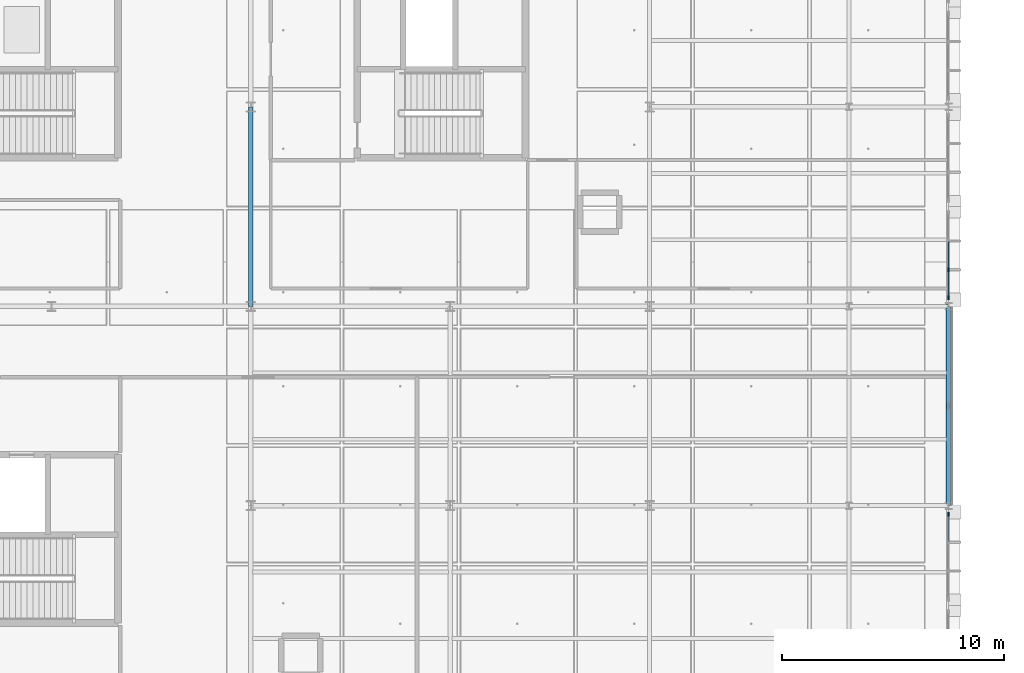
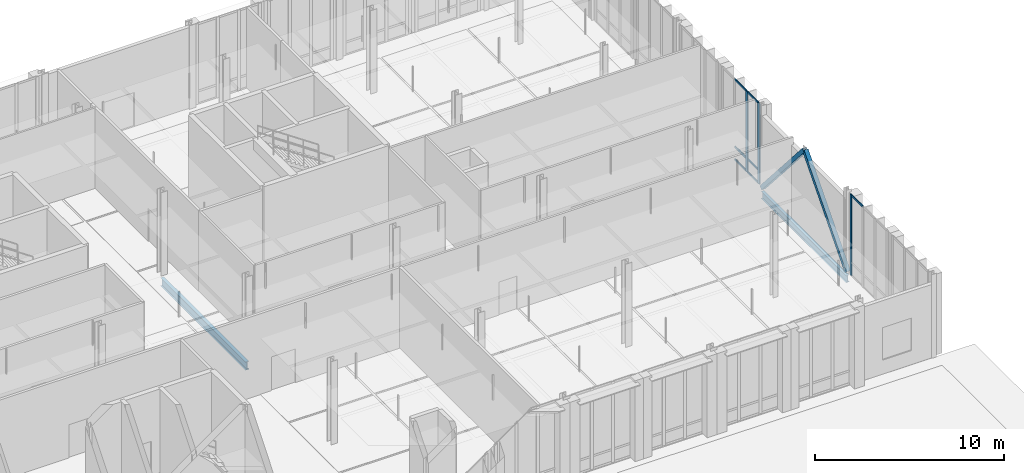
# One storey, part 66 of 180: 12 members, 2 beams, 2 elements without a shape of their own.
"""IFC4 building model written with IfcOpenShell, lengths in metres."""

from ifc_helpers import new_model, si_unit, direction, frame, origin, origin_2d, place, context, subcontext, project, spatial, rectangle, hollow_rectangle, i_section, extrude, material, material_profile, profile_set, type_object, element, aggregate, save


model = new_model("IFC4")

# Units and contexts
model_context = context("Model", 3, precision=1e-05, world=origin(), true_north=direction((0.0, 1.0)))
body_context = subcontext(model_context, "Body", "Model", "MODEL_VIEW")
ifc_project = project(units=[si_unit("LENGTHUNIT", "METRE"), si_unit("AREAUNIT", "SQUARE_METRE"), si_unit("VOLUMEUNIT", "CUBIC_METRE"), si_unit("PLANEANGLEUNIT", "RADIAN"), si_unit("MASSUNIT", "GRAM", prefix="KILO"), si_unit("THERMODYNAMICTEMPERATUREUNIT", "KELVIN"), si_unit("POWERUNIT", "WATT")], contexts=[model_context])

# Site, building, storey
site_placement = place(None, origin())
site = spatial("IfcSite", under=ifc_project, at=site_placement, CompositionType="ELEMENT")
building_placement = place(site_placement, origin())
building = spatial("IfcBuilding", under=site, at=building_placement, Name="Tallowbark Science Centre", CompositionType="ELEMENT")
storey_placement = place(building_placement, origin())
storey = spatial("IfcBuildingStorey", under=building, at=storey_placement, Name="L00", CompositionType="ELEMENT", Elevation=0.0)

# Beam
ifc_material_1 = material(Name="Structural Steel Grade 300PLUS (300 MPa)", Category="steel")
ifc_material_profile_1 = material_profile(ifc_material_1, i_section(OverallWidth=0.208740234375, OverallDepth=0.5283203125, WebThickness=0.009521484375, FlangeThickness=0.01318359375, FilletRadius=0.013916015625, at=origin_2d()), Name="530UB82.0")
ifc_profile_set_1 = profile_set([ifc_material_profile_1], Name="Structural Steel Grade 300PLUS (300 MPa)")
beam_type_1 = type_object("IfcBeamType", Name="BM-UB530B", PredefinedType="BEAM", material=ifc_profile_set_1)
beam_1_placement = place(storey_placement, frame((130.5, 90.0, -0.504150390625), z_axis=(0.0, 1.0, 0.0), x_axis=(-1.0, 0.0, 0.0)))
element("IfcBeam", 1, at=beam_1_placement, inside=storey, type_object=beam_type_1, Name="Primary Girder GRDY-L00-1305-900-990", PredefinedType="BEAM", context=body_context, shape_type="SweptSolid", body=[
    extrude(i_section(OverallWidth=0.208740234375, OverallDepth=0.5283203125, WebThickness=0.009521484375, FlangeThickness=0.01318359375, FilletRadius=0.013916015625, at=origin_2d()), origin(), (0.0, 0.0, 1.0), 9.0),
])

# Members
ifc_material_2 = material(Name="Structural Steel Grade C350L0 (350 MPa)", Category="steel")
ifc_material_profile_2 = material_profile(ifc_material_2, hollow_rectangle(XDim=0.25, YDim=0.25, WallThickness=0.009033203125, at=origin_2d()), Name="250x250x9.0SHS")
ifc_profile_set_2 = profile_set([ifc_material_profile_2], Name="Structural Steel Grade C350L0 (350 MPa)")
member_type_1 = type_object("IfcMemberType", Name="CBF-250SHS", PredefinedType="BRACE", material=ifc_profile_set_2)
for number, where, z_axis, x_axis, name in (
    (2, (162.0, 81.0, 0.0), (0.0, 0.657993936846, 0.753023226119), (-1.0, 0.0, 0.0), "Concentric Chevron Brace CBF-OBS-E1A L00 Left"),
    (3, (162.0, 90.0, 0.0), (0.0, -0.657993936846, 0.753023226119), (1.0, 0.0, 0.0), "Concentric Chevron Brace CBF-OBS-E1A L00 Right"),
):
    element("IfcMember", number, at=place(storey_placement, frame(where, z_axis=z_axis, x_axis=x_axis)), inside=storey, type_object=member_type_1, Name=name, PredefinedType="BRACE", context=body_context, shape_type="SweptSolid", body=[
        extrude(hollow_rectangle(XDim=0.25, YDim=0.25, WallThickness=0.009033203125, at=origin_2d()), origin(), (0.0, 0.0, 1.0), 6.8388671875),
    ])

# Curtain wall, member
ifc_material_3 = material(Name="Unitised Thermally Broken Aluminium and Low-E Double Glazing", Category="aluminium")
curtain_wall_type = type_object("IfcCurtainWallType", Name="CW-SYS-FACADE", PredefinedType="NOTDEFINED", material=ifc_material_3)
curtain_wall_1_placement = place(storey_placement, origin())
curtain_wall_1 = element("IfcCurtainWall", 4, at=curtain_wall_1_placement, inside=storey, type_object=curtain_wall_type, Name="Unitised Curtain Wall OBS-E-72B CW-L00-107", PredefinedType="NOTDEFINED")
ifc_material_4 = material(Name="Anodised Architectural Aluminium Alloy 6063-T6", Category="aluminium")
ifc_material_profile_3 = material_profile(ifc_material_4, rectangle(XDim=0.06494140625, YDim=0.179931640625, at=origin_2d()), Name="ALU65x180")
ifc_profile_set_3 = profile_set([ifc_material_profile_3], Name="Anodised Architectural Aluminium Alloy 6063-T6")
member_type_2 = type_object("IfcMemberType", Name="CWM-MUL-220", PredefinedType="MULLION", material=ifc_profile_set_3)
member_1_placement = place(storey_placement, frame((162.0, 80.617431640625, 0.0), z_axis=(0.0, 0.0, 1.0), x_axis=(-1.0, 0.0, 0.0)))
member_1 = element("IfcMember", 5, at=member_1_placement, type_object=member_type_2, Name="CW-01 mullion 4", PredefinedType="MULLION", context=body_context, shape_type="SweptSolid", body=[
    extrude(rectangle(XDim=0.06494140625, YDim=0.179931640625, at=origin_2d()), origin(), (0.0, 0.0, 1.0), 5.219970703125),
])

# Curtain wall, members
curtain_wall_2_placement = place(storey_placement, origin())
curtain_wall_2 = element("IfcCurtainWall", 6, at=curtain_wall_2_placement, inside=storey, type_object=curtain_wall_type, Name="Unitised Curtain Wall OBS-E-90A CW-L00-108", PredefinedType="NOTDEFINED")
member_2_placement = place(storey_placement, frame((162.0, 90.382568359375, 0.0), z_axis=(0.0, 0.0, 1.0), x_axis=(-1.0, 0.0, 0.0)))
member_2 = element("IfcMember", 7, at=member_2_placement, type_object=member_type_2, Name="CW-01 mullion 1", PredefinedType="MULLION", context=body_context, shape_type="SweptSolid", body=[
    extrude(rectangle(XDim=0.06494140625, YDim=0.179931640625, at=origin_2d()), origin(), (0.0, 0.0, 1.0), 5.219970703125),
])
member_3_placement = place(storey_placement, frame((162.0, 91.64990234375, 0.0), z_axis=(0.0, 0.0, 1.0), x_axis=(-1.0, 0.0, 0.0)))
member_3 = element("IfcMember", 8, at=member_3_placement, type_object=member_type_2, Name="CW-01 mullion 2", PredefinedType="MULLION", context=body_context, shape_type="SweptSolid", body=[
    extrude(rectangle(XDim=0.06494140625, YDim=0.179931640625, at=origin_2d()), origin(), (0.0, 0.0, 1.0), 5.219970703125),
])

# Member
ifc_material_profile_4 = material_profile(ifc_material_4, rectangle(XDim=0.054931640625, YDim=0.1201171875, at=origin_2d()), Name="ALU55x120")
ifc_profile_set_4 = profile_set([ifc_material_profile_4], Name="Anodised Architectural Aluminium Alloy 6063-T6")
member_type_3 = type_object("IfcMemberType", Name="CWM-TRN-150", PredefinedType="USERDEFINED", material=ifc_profile_set_4)
member_4_placement = place(storey_placement, frame((162.0, 79.382568359375, 5.1923828125), z_axis=(0.0, 1.0, 0.0), x_axis=(-1.0, 0.0, 0.0)))
member_4 = element("IfcMember", 9, at=member_4_placement, type_object=member_type_3, Name="CW-01 transom 3.3", ObjectType="TRANSOM", PredefinedType="USERDEFINED", context=body_context, shape_type="SweptSolid", body=[
    extrude(rectangle(XDim=0.054931640625, YDim=0.1201171875, at=origin_2d()), origin(), (0.0, 0.0, 1.0), 1.202392578125),
])

aggregate(curtain_wall_1, [member_1, member_4])

member_5_placement = place(storey_placement, frame((162.0, 90.4150390625, 0.027587890625), z_axis=(0.0, 1.0, 0.0), x_axis=(-1.0, 0.0, 0.0)))
member_5 = element("IfcMember", 10, at=member_5_placement, type_object=member_type_3, Name="CW-01 transom 1.1", ObjectType="TRANSOM", PredefinedType="USERDEFINED", context=body_context, shape_type="SweptSolid", body=[
    extrude(rectangle(XDim=0.054931640625, YDim=0.1201171875, at=origin_2d()), origin(), (0.0, 0.0, 1.0), 1.202392578125),
])

member_6_placement = place(storey_placement, frame((162.0, 90.4150390625, 0.85009765625), z_axis=(0.0, 1.0, 0.0), x_axis=(-1.0, 0.0, 0.0)))
member_6 = element("IfcMember", 11, at=member_6_placement, type_object=member_type_3, Name="CW-01 transom 1.2", ObjectType="TRANSOM", PredefinedType="USERDEFINED", context=body_context, shape_type="SweptSolid", body=[
    extrude(rectangle(XDim=0.054931640625, YDim=0.1201171875, at=origin_2d()), origin(), (0.0, 0.0, 1.0), 1.202392578125),
])

member_7_placement = place(storey_placement, frame((162.0, 90.4150390625, 5.1923828125), z_axis=(0.0, 1.0, 0.0), x_axis=(-1.0, 0.0, 0.0)))
member_7 = element("IfcMember", 12, at=member_7_placement, type_object=member_type_3, Name="CW-01 transom 1.3", ObjectType="TRANSOM", PredefinedType="USERDEFINED", context=body_context, shape_type="SweptSolid", body=[
    extrude(rectangle(XDim=0.054931640625, YDim=0.1201171875, at=origin_2d()), origin(), (0.0, 0.0, 1.0), 1.202392578125),
])

member_8_placement = place(storey_placement, frame((162.0, 91.6826171875, 0.027587890625), z_axis=(0.0, 1.0, 0.0), x_axis=(-1.0, 0.0, 0.0)))
member_8 = element("IfcMember", 13, at=member_8_placement, type_object=member_type_3, Name="CW-01 transom 2.1", ObjectType="TRANSOM", PredefinedType="USERDEFINED", context=body_context, shape_type="SweptSolid", body=[
    extrude(rectangle(XDim=0.054931640625, YDim=0.1201171875, at=origin_2d()), origin(), (0.0, 0.0, 1.0), 1.23486328125),
])

member_9_placement = place(storey_placement, frame((162.0, 91.6826171875, 0.85009765625), z_axis=(0.0, 1.0, 0.0), x_axis=(-1.0, 0.0, 0.0)))
member_9 = element("IfcMember", 14, at=member_9_placement, type_object=member_type_3, Name="CW-01 transom 2.2", ObjectType="TRANSOM", PredefinedType="USERDEFINED", context=body_context, shape_type="SweptSolid", body=[
    extrude(rectangle(XDim=0.054931640625, YDim=0.1201171875, at=origin_2d()), origin(), (0.0, 0.0, 1.0), 1.23486328125),
])

member_10_placement = place(storey_placement, frame((162.0, 91.6826171875, 5.1923828125), z_axis=(0.0, 1.0, 0.0), x_axis=(-1.0, 0.0, 0.0)))
member_10 = element("IfcMember", 15, at=member_10_placement, type_object=member_type_3, Name="CW-01 transom 2.3", ObjectType="TRANSOM", PredefinedType="USERDEFINED", context=body_context, shape_type="SweptSolid", body=[
    extrude(rectangle(XDim=0.054931640625, YDim=0.1201171875, at=origin_2d()), origin(), (0.0, 0.0, 1.0), 1.23486328125),
])

aggregate(curtain_wall_2, [member_2, member_3, member_5, member_6, member_7, member_8, member_9, member_10])

# Beam
ifc_material_profile_5 = material_profile(ifc_material_1, i_section(OverallWidth=0.18994140625, OverallDepth=0.453857421875, WebThickness=0.008544921875, FlangeThickness=0.0126953125, FilletRadius=0.011474609375, at=origin_2d()), Name="460UB67.1")
ifc_profile_set_5 = profile_set([ifc_material_profile_5], Name="Structural Steel Grade 300PLUS (300 MPa)")
beam_type_2 = type_object("IfcBeamType", Name="SPN-UB460", PredefinedType="SPANDREL", material=ifc_profile_set_5)
beam_2_placement = place(storey_placement, frame((162.0, 81.0, -0.466796875), z_axis=(0.0, 1.0, 0.0), x_axis=(-1.0, 0.0, 0.0)))
element("IfcBeam", 16, at=beam_2_placement, inside=storey, type_object=beam_type_2, Name="Primary Girder GRDY-L00-1620-810-900", PredefinedType="SPANDREL", context=body_context, shape_type="SweptSolid", body=[
    extrude(i_section(OverallWidth=0.18994140625, OverallDepth=0.453857421875, WebThickness=0.008544921875, FlangeThickness=0.0126953125, FilletRadius=0.011474609375, at=origin_2d()), origin(), (0.0, 0.0, 1.0), 9.0),
])

save(model, "model.ifc")
